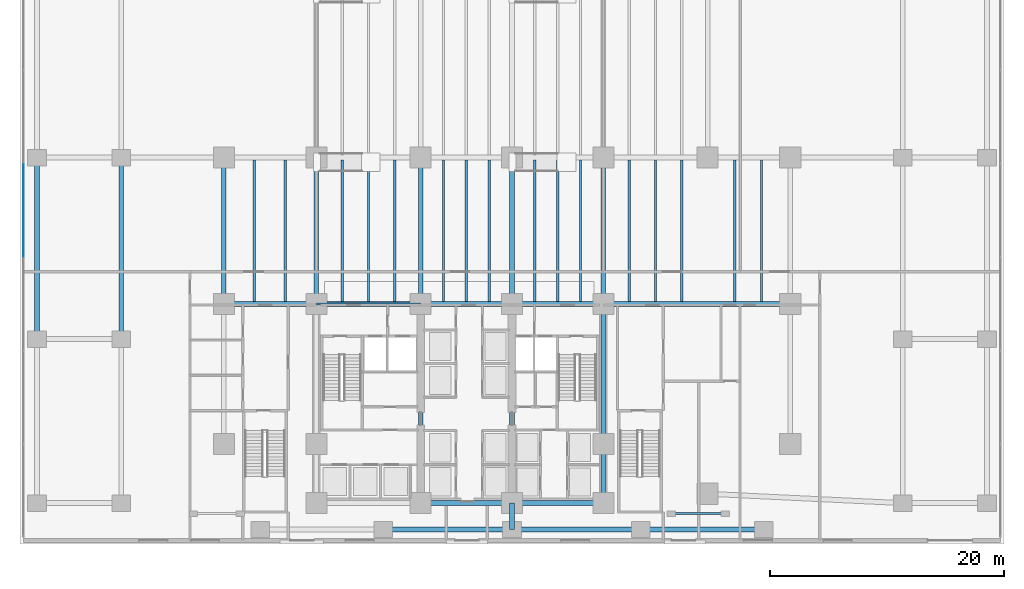
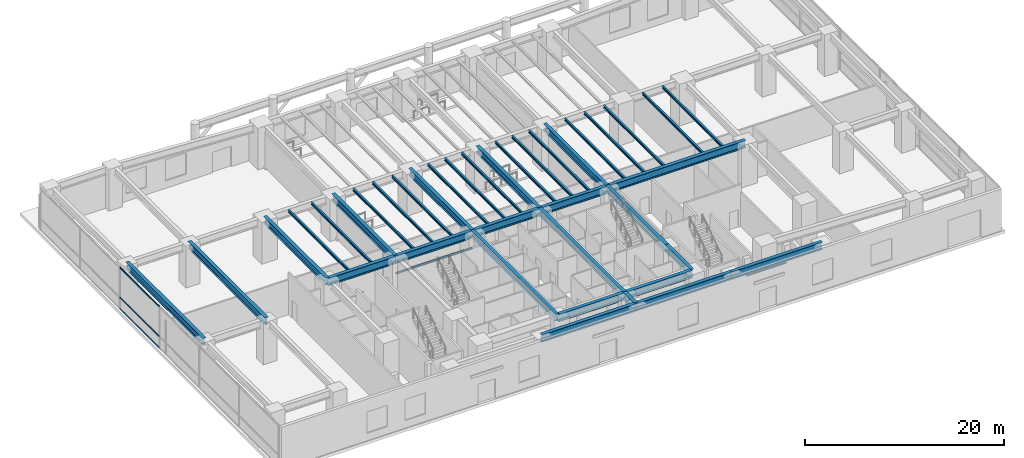
# One storey, part 3 of 19: 40 beams, 3 members, 1 element without a shape of its own.
"""IFC4 building model written with IfcOpenShell, lengths in metres."""

import ifcopenshell
import ifcopenshell.guid

model = None  # the IFC model being written
_history = None  # IfcOwnerHistory: only IFC2X3 demands one
_inside = {}  # id of a spatial element -> (the spatial element, [elements in it])
_under = {}  # id of a project, library or spatial element -> (it, [spatial elements below it])
_declared = {}  # id of a project -> (the project, [libraries it declares])
_typed = {}  # id of a type object -> (the type object, [elements of that type])
_made_of = {}  # id of a material, layer set ... -> (it, [elements and type objects made of it])


def new_model(schema):
    """Start an empty IFC model of exactly this schema.

    Asked for "IFC4X3", IfcOpenShell would pick the latest addendum, in which some entities
    have other attributes; the version numbers below select the first issue.
    IFC2X3 requires an IfcOwnerHistory on every rooted entity: one is made here for all.
    """
    global model, _history
    if schema == "IFC4X3":
        model = ifcopenshell.file(schema_version=(4, 3, 0, 0))
    else:
        model = ifcopenshell.file(schema=schema)
    _inside.clear()
    _under.clear()
    _declared.clear()
    _typed.clear()
    _made_of.clear()
    _history = None
    if model.schema == "IFC2X3":
        org = make("IfcOrganization", Name="unknown")
        user = make(
            "IfcPersonAndOrganization",
            ThePerson=make("IfcPerson", FamilyName="unknown"),
            TheOrganization=org,
        )
        app = make(
            "IfcApplication",
            ApplicationDeveloper=org,
            Version="unknown",
            ApplicationFullName="unknown",
            ApplicationIdentifier="unknown",
        )
        _history = make(
            "IfcOwnerHistory",
            OwningUser=user,
            OwningApplication=app,
            ChangeAction="ADDED",
            CreationDate=0,
        )
    return model


def make(cls, **values):
    """One entity of the class cls with the attributes given. An attribute that is None is left unset."""
    return model.create_entity(
        cls, **{name: value for name, value in values.items() if value is not None}
    )


def rooted(cls, **values):
    """An entity with a GlobalId (a new one), such as an element, a storey or a relation."""
    return make(cls, GlobalId=ifcopenshell.guid.new(), OwnerHistory=_history, **values)


def si_unit(unit_type, name, prefix=None):
    """IfcSIUnit, for example si_unit("LENGTHUNIT", "METRE", prefix="MILLI")."""
    return make("IfcSIUnit", UnitType=unit_type, Prefix=prefix, Name=name)


def assignment(units):
    """IfcUnitAssignment: the units of a project."""
    return None if units is None else make("IfcUnitAssignment", Units=units)


def point(xyz):
    """IfcCartesianPoint."""
    return None if xyz is None else make("IfcCartesianPoint", Coordinates=xyz)


def direction(xyz):
    """IfcDirection."""
    return None if xyz is None else make("IfcDirection", DirectionRatios=xyz)


def frame(location, z_axis=None, x_axis=None):
    """IfcAxis2Placement3D, a coordinate frame: its origin and axes. An axis left out is left unset."""
    return make(
        "IfcAxis2Placement3D",
        Location=point(location),
        Axis=direction(z_axis),
        RefDirection=direction(x_axis),
    )


def frame_2d(location, x_axis=None):
    """IfcAxis2Placement2D, a coordinate frame in the plane: its origin and x axis."""
    return make(
        "IfcAxis2Placement2D", Location=point(location), RefDirection=direction(x_axis)
    )


def origin():
    """The frame at (0, 0, 0) with its axes left unset."""
    return frame((0.0, 0.0, 0.0))


def origin_2d():
    """The frame at (0, 0) in the plane with its x axis left unset."""
    return frame_2d((0.0, 0.0))


def place(relative_to, where):
    """IfcLocalPlacement: puts the frame where relative to a parent placement (None: the world)."""
    return make(
        "IfcLocalPlacement", PlacementRelTo=relative_to, RelativePlacement=where
    )


def context(
    kind, dimensions, precision=None, world=None, true_north=None, identifier=None
):
    """IfcGeometricRepresentationContext, for example the 3D "Model" context."""
    return make(
        "IfcGeometricRepresentationContext",
        ContextIdentifier=identifier,
        ContextType=kind,
        CoordinateSpaceDimension=dimensions,
        Precision=precision,
        WorldCoordinateSystem=world,
        TrueNorth=true_north,
    )


def subcontext(parent, identifier, kind, view, scale=None):
    """IfcGeometricRepresentationSubContext, for example "Body" below "Model"."""
    return make(
        "IfcGeometricRepresentationSubContext",
        ContextIdentifier=identifier,
        ContextType=kind,
        ParentContext=parent,
        TargetScale=scale,
        TargetView=view,
    )


def project(units=None, contexts=None):
    """IfcProject with its units and contexts."""
    return rooted(
        "IfcProject",
        Name="project",
        RepresentationContexts=contexts,
        UnitsInContext=assignment(units),
    )


def spatial(cls, under=None, at=None, **own):
    """A site, building, storey or space (cls), placed at a placement, below another one or the project."""
    s = rooted(cls, ObjectPlacement=at, **own)
    if under is not None:
        _under.setdefault(under.id(), (under, []))[1].append(s)
    return s


def profile(cls, at=None, kind="AREA", **sizes):
    """A parametric profile (cls). Its sizes go by their IFC names, for example OverallWidth=200.0."""
    return make(cls, ProfileType=kind, Position=at, **sizes)


def rectangle(**sizes):
    """IfcRectangleProfileDef."""
    return profile("IfcRectangleProfileDef", **sizes)


def i_section(**sizes):
    """IfcIShapeProfileDef."""
    return profile("IfcIShapeProfileDef", **sizes)


def extrude(swept, where, along, depth):
    """IfcExtrudedAreaSolid: the profile swept, set in the frame where, extruded along a direction by depth."""
    return make(
        "IfcExtrudedAreaSolid",
        SweptArea=swept,
        Position=where,
        ExtrudedDirection=direction(along),
        Depth=depth,
    )


def shape(context_of_items, identifier, shape_type, items):
    """IfcShapeRepresentation: the items that make up one representation, for example the "Body"."""
    return make(
        "IfcShapeRepresentation",
        ContextOfItems=context_of_items,
        RepresentationIdentifier=identifier,
        RepresentationType=shape_type,
        Items=items,
    )


def material(Name=None, Category=None):
    """IfcMaterial."""
    return make("IfcMaterial", Name=Name, Category=Category)


def layer(
    of_material, thickness, ventilated=None, Name=None, Category=None, Priority=None
):
    """IfcMaterialLayer: one layer of a wall or slab, of a material (None: an air gap)."""
    return make(
        "IfcMaterialLayer",
        Material=of_material,
        LayerThickness=thickness,
        IsVentilated=ventilated,
        Name=Name,
        Category=Category,
        Priority=Priority,
    )


def layer_set(layers, Name=None):
    """IfcMaterialLayerSet."""
    return make("IfcMaterialLayerSet", MaterialLayers=layers, LayerSetName=Name)


def material_profile(
    of_material, cross_section, Name=None, Category=None, Priority=None
):
    """IfcMaterialProfile: a cross section and its material."""
    return make(
        "IfcMaterialProfile",
        Name=Name,
        Material=of_material,
        Profile=cross_section,
        Priority=Priority,
        Category=Category,
    )


def profile_set(profiles, Name=None, composite=None):
    """IfcMaterialProfileSet."""
    return make(
        "IfcMaterialProfileSet",
        Name=Name,
        MaterialProfiles=profiles,
        CompositeProfile=composite,
    )


def made_of(thing, what):
    """Note that an element or type object is made of a material, layer set ...; save() writes the relation."""
    if what is not None:
        _made_of.setdefault(what.id(), (what, []))[1].append(thing)
    return thing


def type_object(cls, material=None, **own):
    """A type object (cls), such as IfcWallType, which elements share."""
    return made_of(rooted(cls, **own), material)


def element(
    cls,
    number,
    at=None,
    inside=None,
    cuts=None,
    type_object=None,
    material=None,
    context=None,
    identifier="Body",
    shape_type=None,
    held_by="IfcProductDefinitionShape",
    body=None,
    shapes=None,
    **own,
):
    """One element of the class cls, such as IfcWall. Its Tag is "e" and its number.

    at: its placement. inside: the storey or other place that contains it. cuts: it is an
    opening in that element (IfcRelVoidsElement). A single representation is given by context,
    identifier, shape_type and body (its items); several are given by shapes. held_by: the class
    of the entity that holds the representations. save() writes the other relations.
    """
    e = rooted(cls, Tag="e%d" % number, ObjectPlacement=at, **own)
    if body is not None:
        shapes = [shape(context, identifier, shape_type, body)]
    if shapes is not None:
        e.Representation = make(held_by, Representations=shapes)
    if inside is not None:
        _inside.setdefault(inside.id(), (inside, []))[1].append(e)
    if cuts is not None:
        rooted(
            "IfcRelVoidsElement", RelatingBuildingElement=cuts, RelatedOpeningElement=e
        )
    if type_object is not None:
        _typed.setdefault(type_object.id(), (type_object, []))[1].append(e)
    return made_of(e, material)


def aggregate(whole, parts):
    """IfcRelAggregates: a whole, such as a stair, and the parts it consists of."""
    return rooted("IfcRelAggregates", RelatingObject=whole, RelatedObjects=parts)


def save(model, path):
    """Write the relations noted so far, then the file.

    IfcRelAggregates (storeys below a building ...), IfcRelContainedInSpatialStructure (elements
    in a storey), IfcRelDefinesByType, IfcRelAssociatesMaterial and IfcRelDeclares: one each for
    every whole, place, type object, material and project.
    """
    for whole, parts in _under.values():
        aggregate(whole, parts)
    for where, things in _inside.values():
        rooted(
            "IfcRelContainedInSpatialStructure",
            RelatedElements=things,
            RelatingStructure=where,
        )
    for kind, things in _typed.values():
        rooted("IfcRelDefinesByType", RelatedObjects=things, RelatingType=kind)
    for what, things in _made_of.values():
        rooted("IfcRelAssociatesMaterial", RelatedObjects=things, RelatingMaterial=what)
    for by, libraries in _declared.values():
        rooted("IfcRelDeclares", RelatingContext=by, RelatedDefinitions=libraries)
    model.write(path)


model = new_model("IFC4")

# Units and contexts
model_context = context("Model", 3, precision=1e-05, world=origin(), true_north=direction((0.0, 1.0)))
body_context = subcontext(model_context, "Body", "Model", "MODEL_VIEW")
ifc_project = project(units=[si_unit("LENGTHUNIT", "METRE"), si_unit("AREAUNIT", "SQUARE_METRE"), si_unit("VOLUMEUNIT", "CUBIC_METRE"), si_unit("PLANEANGLEUNIT", "RADIAN"), si_unit("MASSUNIT", "GRAM", prefix="KILO")], contexts=[model_context])

# Site, building, storey
site_placement = place(None, origin())
site = spatial("IfcSite", under=ifc_project, at=site_placement, CompositionType="ELEMENT")
building_placement = place(site_placement, origin())
building = spatial("IfcBuilding", under=site, at=building_placement, Name="Qalmaran Belvedere Hotel", CompositionType="ELEMENT")
storey_placement = place(building_placement, origin())
storey = spatial("IfcBuildingStorey", under=building, at=storey_placement, Name="L00", CompositionType="ELEMENT", Elevation=0.0)

# Beams
ifc_material_1 = material(Name="Steel S355JR", Category="steel")
ifc_material_profile_1 = material_profile(ifc_material_1, i_section(OverallWidth=0.202880859375, OverallDepth=0.302978515625, WebThickness=0.007568359375, FlangeThickness=0.01318359375, FilletRadius=0.012939453125, at=origin_2d()), Name="W310X60")
ifc_profile_set_1 = profile_set([ifc_material_profile_1], Name="Steel S355JR")
beam_type_1 = type_object("IfcBeamType", Name="BM-JST-W310X60", PredefinedType="JOIST", material=ifc_profile_set_1)
for number, where, z_axis, x_axis, name in (
    (1, (15.0, 20.7080078125, 4.948486328125), (0.0, 1.0, 0.0), (-1.0, 0.0, 0.0), "L00 Podium South-Ballroom Joist 077"),
    (2, (17.64990234375, 20.7080078125, 4.948486328125), (0.0, 1.0, 0.0), (-1.0, 0.0, 0.0), "L00 Podium South-Ballroom Joist 078"),
    (3, (22.5, 20.7080078125, 4.948486328125), (0.0, 1.0, 0.0), (-1.0, 0.0, 0.0), "L00 Podium South-Ballroom Joist 079"),
    (4, (24.75, 20.7080078125, 4.948486328125), (0.0, 1.0, 0.0), (-1.0, 0.0, 0.0), "L00 Podium South-Ballroom Joist 081"),
    (5, (27.0, 20.7080078125, 4.948486328125), (0.0, 1.0, 0.0), (-1.0, 0.0, 0.0), "L00 Podium South-Ballroom Joist 083"),
    (6, (31.14990234375, 20.7080078125, 4.948486328125), (0.0, 1.0, 0.0), (-1.0, 0.0, 0.0), "L00 Podium South-Ballroom Joist 085"),
    (7, (33.10009765625, 20.7080078125, 4.948486328125), (0.0, 1.0, 0.0), (-1.0, 0.0, 0.0), "L00 Podium South-Ballroom Joist 087"),
    (8, (35.050048828125, 20.7080078125, 4.948486328125), (0.0, 1.0, 0.0), (-1.0, 0.0, 0.0), "L00 Podium South-Ballroom Joist 089"),
    (9, (38.949951171875, 20.7080078125, 4.948486328125), (0.0, 1.0, 0.0), (-1.0, 0.0, 0.0), "L00 Podium South-Ballroom Joist 091"),
    (10, (40.89990234375, 20.7080078125, 4.948486328125), (0.0, 1.0, 0.0), (-1.0, 0.0, 0.0), "L00 Podium South-Ballroom Joist 093"),
    (11, (42.85009765625, 20.7080078125, 4.948486328125), (0.0, 1.0, 0.0), (-1.0, 0.0, 0.0), "L00 Podium South-Ballroom Joist 095"),
    (12, (47.0, 20.7080078125, 4.948486328125), (0.0, 1.0, 0.0), (-1.0, 0.0, 0.0), "L00 Podium South-Ballroom Joist 097"),
    (13, (49.25, 20.7080078125, 4.948486328125), (0.0, 1.0, 0.0), (-1.0, 0.0, 0.0), "L00 Podium South-Ballroom Joist 099"),
    (14, (51.5, 20.7080078125, 4.948486328125), (0.0, 1.0, 0.0), (-1.0, 0.0, 0.0), "L00 Podium South-Ballroom Joist 101"),
    (15, (56.0, 20.7080078125, 4.948486328125), (0.0, 1.0, 0.0), (-1.0, 0.0, 0.0), "L00 Podium South-Ballroom Joist 103"),
    (16, (58.300048828125, 20.7080078125, 4.948486328125), (0.0, 1.0, 0.0), (-1.0, 0.0, 0.0), "L00 Podium South-Ballroom Joist 104"),
):
    element("IfcBeam", number, at=place(storey_placement, frame(where, z_axis=z_axis, x_axis=x_axis)), inside=storey, type_object=beam_type_1, Name=name, PredefinedType="JOIST", context=body_context, shape_type="SweptSolid", body=[
        extrude(i_section(OverallWidth=0.202880859375, OverallDepth=0.302978515625, WebThickness=0.007568359375, FlangeThickness=0.01318359375, FilletRadius=0.012939453125, at=origin_2d()), origin(), (0.0, 0.0, 1.0), 12.083984375),
    ])
ifc_material_profile_2 = material_profile(ifc_material_1, i_section(OverallWidth=0.1650390625, OverallDepth=0.200927734375, WebThickness=0.006103515625, FlangeThickness=0.01025390625, FilletRadius=0.010009765625, at=origin_2d()), Name="W200X36")
ifc_profile_set_2 = profile_set([ifc_material_profile_2], Name="Steel S355JR")
beam_type_2 = type_object("IfcBeamType", Name="BM-LIN-W200X36", PredefinedType="LINTEL", material=ifc_profile_set_2)
beam_1_placement = place(storey_placement, frame((50.60009765625, 2.60009765625, 2.85009765625), z_axis=(1.0, 0.0, 0.0), x_axis=(0.0, 1.0, 0.0)))
element("IfcBeam", 17, at=beam_1_placement, inside=storey, type_object=beam_type_2, Name="L00 Colonnade Opening Lintel 02", PredefinedType="LINTEL", context=body_context, shape_type="SweptSolid", body=[
    extrude(i_section(OverallWidth=0.1650390625, OverallDepth=0.200927734375, WebThickness=0.006103515625, FlangeThickness=0.01025390625, FilletRadius=0.010009765625, at=origin_2d()), origin(), (0.0, 0.0, 1.0), 4.599853515625),
])
beam_2_placement = place(storey_placement, frame((20.300048828125, 20.5, 2.85009765625), z_axis=(1.0, 0.0, 0.0), x_axis=(0.0, 1.0, 0.0)))
element("IfcBeam", 18, at=beam_2_placement, inside=storey, type_object=beam_type_2, Name="L00 Colonnade Opening Lintel 03", PredefinedType="LINTEL", context=body_context, shape_type="SweptSolid", body=[
    extrude(i_section(OverallWidth=0.1650390625, OverallDepth=0.200927734375, WebThickness=0.006103515625, FlangeThickness=0.01025390625, FilletRadius=0.010009765625, at=origin_2d()), origin(), (0.0, 0.0, 1.0), 8.89990234375),
])
ifc_material_profile_3 = material_profile(ifc_material_1, i_section(OverallWidth=0.419921875, OverallDepth=0.9208984375, WebThickness=0.021240234375, FlangeThickness=0.03662109375, FilletRadius=0.02392578125, at=origin_2d()), Name="W920X387")
ifc_profile_set_3 = profile_set([ifc_material_profile_3], Name="Steel S355JR")
beam_type_3 = type_object("IfcBeamType", Name="BM-PG1-W920X387", PredefinedType="USERDEFINED", material=ifc_profile_set_3)
for number, where, z_axis, x_axis, name in (
    (19, (26.0, 1.25, 4.639404296875), (1.0, 0.0, 0.0), (0.0, 1.0, 0.0), "L00 Podium Primary Girder GX02"),
    (20, (37.0, 1.25, 4.639404296875), (1.0, 0.0, 0.0), (0.0, 1.0, 0.0), "L00 Podium Primary Girder GX03"),
):
    element("IfcBeam", number, at=place(storey_placement, frame(where, z_axis=z_axis, x_axis=x_axis)), inside=storey, type_object=beam_type_3, Name=name, ObjectType="GIRDER", PredefinedType="USERDEFINED", context=body_context, shape_type="SweptSolid", body=[
        extrude(i_section(OverallWidth=0.419921875, OverallDepth=0.9208984375, WebThickness=0.021240234375, FlangeThickness=0.03662109375, FilletRadius=0.02392578125, at=origin_2d()), origin(), (0.0, 0.0, 1.0), 11.0),
    ])
beam_3_placement = place(storey_placement, frame((48.0, 1.25, 4.639404296875), z_axis=(1.0, 0.0, 0.0), x_axis=(0.0, 1.0, 0.0)))
element("IfcBeam", 21, at=beam_3_placement, inside=storey, type_object=beam_type_3, Name="L00 Podium Primary Girder GX04", ObjectType="GIRDER", PredefinedType="USERDEFINED", context=body_context, shape_type="SweptSolid", body=[
    extrude(i_section(OverallWidth=0.419921875, OverallDepth=0.9208984375, WebThickness=0.021240234375, FlangeThickness=0.03662109375, FilletRadius=0.02392578125, at=origin_2d()), origin(), (0.0, 0.0, 1.0), 10.5),
])
for number, where, z_axis, x_axis, name in (
    (22, (29.199951171875, 3.5, 4.639404296875), (1.0, 0.0, 0.0), (0.0, 1.0, 0.0), "L00 Podium Primary Girder GX08"),
    (23, (37.0, 3.5, 4.639404296875), (1.0, 0.0, 0.0), (0.0, 1.0, 0.0), "L00 Podium Primary Girder GX09"),
):
    element("IfcBeam", number, at=place(storey_placement, frame(where, z_axis=z_axis, x_axis=x_axis)), inside=storey, type_object=beam_type_3, Name=name, ObjectType="GIRDER", PredefinedType="USERDEFINED", context=body_context, shape_type="SweptSolid", body=[
        extrude(i_section(OverallWidth=0.419921875, OverallDepth=0.9208984375, WebThickness=0.021240234375, FlangeThickness=0.03662109375, FilletRadius=0.02392578125, at=origin_2d()), origin(), (0.0, 0.0, 1.0), 7.800048828125),
    ])
beam_4_placement = place(storey_placement, frame((12.39990234375, 20.5, 4.639404296875), z_axis=(1.0, 0.0, 0.0), x_axis=(0.0, 1.0, 0.0)))
element("IfcBeam", 24, at=beam_4_placement, inside=storey, type_object=beam_type_3, Name="L00 Podium Primary Girder GX17", ObjectType="GIRDER", PredefinedType="USERDEFINED", context=body_context, shape_type="SweptSolid", body=[
    extrude(i_section(OverallWidth=0.419921875, OverallDepth=0.9208984375, WebThickness=0.021240234375, FlangeThickness=0.03662109375, FilletRadius=0.02392578125, at=origin_2d()), origin(), (0.0, 0.0, 1.0), 7.900146484375),
])
beam_5_placement = place(storey_placement, frame((20.300048828125, 20.5, 4.639404296875), z_axis=(1.0, 0.0, 0.0), x_axis=(0.0, 1.0, 0.0)))
element("IfcBeam", 25, at=beam_5_placement, inside=storey, type_object=beam_type_3, Name="L00 Podium Primary Girder GX18", ObjectType="GIRDER", PredefinedType="USERDEFINED", context=body_context, shape_type="SweptSolid", body=[
    extrude(i_section(OverallWidth=0.419921875, OverallDepth=0.9208984375, WebThickness=0.021240234375, FlangeThickness=0.03662109375, FilletRadius=0.02392578125, at=origin_2d()), origin(), (0.0, 0.0, 1.0), 8.89990234375),
])
for number, where, z_axis, x_axis, name in (
    (26, (29.199951171875, 20.5, 4.639404296875), (1.0, 0.0, 0.0), (0.0, 1.0, 0.0), "L00 Podium Primary Girder GX19"),
    (27, (37.0, 20.5, 4.639404296875), (1.0, 0.0, 0.0), (0.0, 1.0, 0.0), "L00 Podium Primary Girder GX20"),
):
    element("IfcBeam", number, at=place(storey_placement, frame(where, z_axis=z_axis, x_axis=x_axis)), inside=storey, type_object=beam_type_3, Name=name, ObjectType="GIRDER", PredefinedType="USERDEFINED", context=body_context, shape_type="SweptSolid", body=[
        extrude(i_section(OverallWidth=0.419921875, OverallDepth=0.9208984375, WebThickness=0.021240234375, FlangeThickness=0.03662109375, FilletRadius=0.02392578125, at=origin_2d()), origin(), (0.0, 0.0, 1.0), 7.800048828125),
    ])
beam_6_placement = place(storey_placement, frame((44.800048828125, 20.5, 4.639404296875), z_axis=(1.0, 0.0, 0.0), x_axis=(0.0, 1.0, 0.0)))
element("IfcBeam", 28, at=beam_6_placement, inside=storey, type_object=beam_type_3, Name="L00 Podium Primary Girder GX21", ObjectType="GIRDER", PredefinedType="USERDEFINED", context=body_context, shape_type="SweptSolid", body=[
    extrude(i_section(OverallWidth=0.419921875, OverallDepth=0.9208984375, WebThickness=0.021240234375, FlangeThickness=0.03662109375, FilletRadius=0.02392578125, at=origin_2d()), origin(), (0.0, 0.0, 1.0), 15.949951171875),
])
ifc_material_profile_4 = material_profile(ifc_material_1, i_section(OverallWidth=0.39990234375, OverallDepth=0.85498046875, WebThickness=0.018310546875, FlangeThickness=0.029296875, FilletRadius=0.02392578125, at=origin_2d()), Name="W840X299")
ifc_profile_set_4 = profile_set([ifc_material_profile_4], Name="Steel S355JR")
beam_type_4 = type_object("IfcBeamType", Name="BM-PG3-W840X299", PredefinedType="USERDEFINED", material=ifc_profile_set_4)
for number, where, z_axis, x_axis, name in (
    (29, (-3.550048828125, 17.5, 4.672607421875), (0.0, 1.0, 0.0), (-1.0, 0.0, 0.0), "L00 Podium Transverse Girder GY46"),
    (30, (3.64990234375, 17.5, 4.672607421875), (0.0, 1.0, 0.0), (-1.0, 0.0, 0.0), "L00 Podium Transverse Girder GY49"),
):
    element("IfcBeam", number, at=place(storey_placement, frame(where, z_axis=z_axis, x_axis=x_axis)), inside=storey, type_object=beam_type_4, Name=name, ObjectType="GIRDER", PredefinedType="USERDEFINED", context=body_context, shape_type="SweptSolid", body=[
        extrude(i_section(OverallWidth=0.39990234375, OverallDepth=0.85498046875, WebThickness=0.018310546875, FlangeThickness=0.029296875, FilletRadius=0.02392578125, at=origin_2d()), origin(), (0.0, 0.0, 1.0), 15.5),
    ])
for number, where, z_axis, x_axis, name in (
    (31, (12.39990234375, 20.5, 4.672607421875), (0.0, 1.0, 0.0), (-1.0, 0.0, 0.0), "L00 Podium Transverse Girder GY52"),
    (32, (20.300048828125, 20.5, 4.672607421875), (0.0, 1.0, 0.0), (-1.0, 0.0, 0.0), "L00 Podium Transverse Girder GY55"),
):
    element("IfcBeam", number, at=place(storey_placement, frame(where, z_axis=z_axis, x_axis=x_axis)), inside=storey, type_object=beam_type_4, Name=name, ObjectType="GIRDER", PredefinedType="USERDEFINED", context=body_context, shape_type="SweptSolid", body=[
        extrude(i_section(OverallWidth=0.39990234375, OverallDepth=0.85498046875, WebThickness=0.018310546875, FlangeThickness=0.029296875, FilletRadius=0.02392578125, at=origin_2d()), origin(), (0.0, 0.0, 1.0), 12.5),
    ])
beam_7_placement = place(storey_placement, frame((29.199951171875, 3.5, 4.672607421875), z_axis=(0.0, 1.0, 0.0), x_axis=(-1.0, 0.0, 0.0)))
element("IfcBeam", 33, at=beam_7_placement, inside=storey, type_object=beam_type_4, Name="L00 Podium Transverse Girder GY57", ObjectType="GIRDER", PredefinedType="USERDEFINED", context=body_context, shape_type="SweptSolid", body=[
    extrude(i_section(OverallWidth=0.39990234375, OverallDepth=0.85498046875, WebThickness=0.018310546875, FlangeThickness=0.029296875, FilletRadius=0.02392578125, at=origin_2d()), origin(), (0.0, 0.0, 1.0), 17.0),
])
beam_8_placement = place(storey_placement, frame((29.199951171875, 20.5, 4.672607421875), z_axis=(0.0, 1.0, 0.0), x_axis=(-1.0, 0.0, 0.0)))
element("IfcBeam", 34, at=beam_8_placement, inside=storey, type_object=beam_type_4, Name="L00 Podium Transverse Girder GY58", ObjectType="GIRDER", PredefinedType="USERDEFINED", context=body_context, shape_type="SweptSolid", body=[
    extrude(i_section(OverallWidth=0.39990234375, OverallDepth=0.85498046875, WebThickness=0.018310546875, FlangeThickness=0.029296875, FilletRadius=0.02392578125, at=origin_2d()), origin(), (0.0, 0.0, 1.0), 12.5),
])
beam_9_placement = place(storey_placement, frame((37.0, 1.25, 4.672607421875), z_axis=(0.0, 1.0, 0.0), x_axis=(-1.0, 0.0, 0.0)))
element("IfcBeam", 35, at=beam_9_placement, inside=storey, type_object=beam_type_4, Name="L00 Podium Transverse Girder GY60", ObjectType="GIRDER", PredefinedType="USERDEFINED", context=body_context, shape_type="SweptSolid", body=[
    extrude(i_section(OverallWidth=0.39990234375, OverallDepth=0.85498046875, WebThickness=0.018310546875, FlangeThickness=0.029296875, FilletRadius=0.02392578125, at=origin_2d()), origin(), (0.0, 0.0, 1.0), 2.25),
])
beam_10_placement = place(storey_placement, frame((37.0, 3.5, 4.672607421875), z_axis=(0.0, 1.0, 0.0), x_axis=(-1.0, 0.0, 0.0)))
element("IfcBeam", 36, at=beam_10_placement, inside=storey, type_object=beam_type_4, Name="L00 Podium Transverse Girder GY61", ObjectType="GIRDER", PredefinedType="USERDEFINED", context=body_context, shape_type="SweptSolid", body=[
    extrude(i_section(OverallWidth=0.39990234375, OverallDepth=0.85498046875, WebThickness=0.018310546875, FlangeThickness=0.029296875, FilletRadius=0.02392578125, at=origin_2d()), origin(), (0.0, 0.0, 1.0), 17.0),
])
beam_11_placement = place(storey_placement, frame((37.0, 20.5, 4.672607421875), z_axis=(0.0, 1.0, 0.0), x_axis=(-1.0, 0.0, 0.0)))
element("IfcBeam", 37, at=beam_11_placement, inside=storey, type_object=beam_type_4, Name="L00 Podium Transverse Girder GY62", ObjectType="GIRDER", PredefinedType="USERDEFINED", context=body_context, shape_type="SweptSolid", body=[
    extrude(i_section(OverallWidth=0.39990234375, OverallDepth=0.85498046875, WebThickness=0.018310546875, FlangeThickness=0.029296875, FilletRadius=0.02392578125, at=origin_2d()), origin(), (0.0, 0.0, 1.0), 12.5),
])
beam_12_placement = place(storey_placement, frame((44.800048828125, 3.5, 4.672607421875), z_axis=(0.0, 1.0, 0.0), x_axis=(-1.0, 0.0, 0.0)))
element("IfcBeam", 38, at=beam_12_placement, inside=storey, type_object=beam_type_4, Name="L00 Podium Transverse Girder GY64", ObjectType="GIRDER", PredefinedType="USERDEFINED", context=body_context, shape_type="SweptSolid", body=[
    extrude(i_section(OverallWidth=0.39990234375, OverallDepth=0.85498046875, WebThickness=0.018310546875, FlangeThickness=0.029296875, FilletRadius=0.02392578125, at=origin_2d()), origin(), (0.0, 0.0, 1.0), 5.050048828125),
])
beam_13_placement = place(storey_placement, frame((44.800048828125, 8.550048828125, 4.672607421875), z_axis=(0.0, 1.0, 0.0), x_axis=(-1.0, 0.0, 0.0)))
element("IfcBeam", 39, at=beam_13_placement, inside=storey, type_object=beam_type_4, Name="L00 Podium Transverse Girder GY65", ObjectType="GIRDER", PredefinedType="USERDEFINED", context=body_context, shape_type="SweptSolid", body=[
    extrude(i_section(OverallWidth=0.39990234375, OverallDepth=0.85498046875, WebThickness=0.018310546875, FlangeThickness=0.029296875, FilletRadius=0.02392578125, at=origin_2d()), origin(), (0.0, 0.0, 1.0), 11.949951171875),
])
beam_14_placement = place(storey_placement, frame((44.800048828125, 20.5, 4.672607421875), z_axis=(0.0, 1.0, 0.0), x_axis=(-1.0, 0.0, 0.0)))
element("IfcBeam", 40, at=beam_14_placement, inside=storey, type_object=beam_type_4, Name="L00 Podium Transverse Girder GY66", ObjectType="GIRDER", PredefinedType="USERDEFINED", context=body_context, shape_type="SweptSolid", body=[
    extrude(i_section(OverallWidth=0.39990234375, OverallDepth=0.85498046875, WebThickness=0.018310546875, FlangeThickness=0.029296875, FilletRadius=0.02392578125, at=origin_2d()), origin(), (0.0, 0.0, 1.0), 12.5),
])

# Curtain wall, members
ifc_material_2 = material(Name="Anodised Bronze Aluminium", Category="aluminium")
ifc_layer = layer(ifc_material_2, 0.219970703125, Name="Anodised Bronze Aluminium")
ifc_layer_set = layer_set([ifc_layer], Name="Anodised Bronze Aluminium")
curtain_wall_type = type_object("IfcCurtainWallType", Name="CW1-PODIUM-BRONZE", PredefinedType="NOTDEFINED", material=ifc_layer_set)
curtain_wall_placement = place(storey_placement, origin())
curtain_wall = element("IfcCurtainWall", 41, at=curtain_wall_placement, inside=storey, type_object=curtain_wall_type, Name="L00 Curtain Wall CW1", PredefinedType="NOTDEFINED")
ifc_material_profile_5 = material_profile(ifc_material_2, rectangle(XDim=0.070068359375, YDim=0.14990234375, at=origin_2d()), Name="CWT70X150")
ifc_profile_set_5 = profile_set([ifc_material_profile_5], Name="Anodised Bronze Aluminium")
member_type = type_object("IfcMemberType", Name="CWT-70X150", PredefinedType="USERDEFINED", material=ifc_profile_set_5)
member_1_placement = place(storey_placement, frame((-4.699951171875, 32.44921875, 0.034912109375), z_axis=(0.0, -1.0, 0.0), x_axis=(1.0, 0.0, 0.0)))
member_1 = element("IfcMember", 42, at=member_1_placement, type_object=member_type, Name="CW1 transom 3.1", ObjectType="TRANSOM", PredefinedType="USERDEFINED", context=body_context, shape_type="SweptSolid", body=[
    extrude(rectangle(XDim=0.070068359375, YDim=0.14990234375, at=origin_2d()), origin(), (0.0, 0.0, 1.0), 7.896728515625),
])
member_2_placement = place(storey_placement, frame((-4.699951171875, 32.44921875, 1.427978515625), z_axis=(0.0, -1.0, 0.0), x_axis=(1.0, 0.0, 0.0)))
member_2 = element("IfcMember", 43, at=member_2_placement, type_object=member_type, Name="CW1 transom 3.2", ObjectType="TRANSOM", PredefinedType="USERDEFINED", context=body_context, shape_type="SweptSolid", body=[
    extrude(rectangle(XDim=0.070068359375, YDim=0.14990234375, at=origin_2d()), origin(), (0.0, 0.0, 1.0), 7.896728515625),
])
member_3_placement = place(storey_placement, frame((-4.699951171875, 32.44921875, 5.06494140625), z_axis=(0.0, -1.0, 0.0), x_axis=(1.0, 0.0, 0.0)))
member_3 = element("IfcMember", 44, at=member_3_placement, type_object=member_type, Name="CW1 transom 3.3", ObjectType="TRANSOM", PredefinedType="USERDEFINED", context=body_context, shape_type="SweptSolid", body=[
    extrude(rectangle(XDim=0.070068359375, YDim=0.14990234375, at=origin_2d()), origin(), (0.0, 0.0, 1.0), 7.896728515625),
])
aggregate(curtain_wall, [member_1, member_2, member_3])

save(model, "model.ifc")
